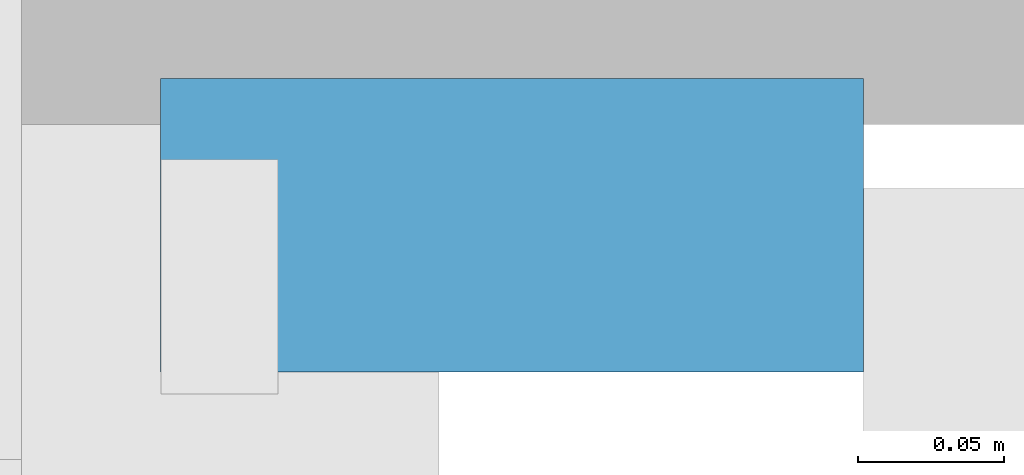
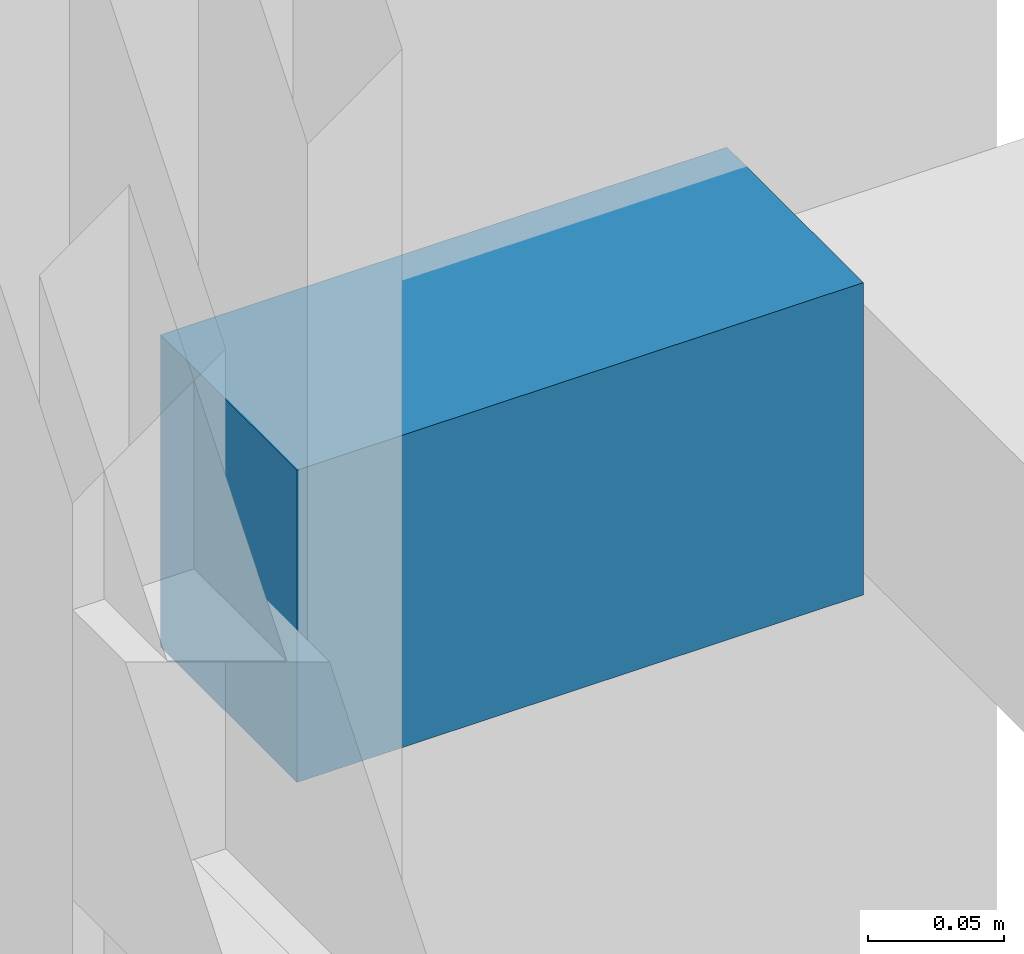
# One storey, part 22 of 36: 1 discrete accessory.
"""IFC4 building model written with IfcOpenShell, lengths in metres."""

from ifc_helpers import new_model, si_unit, direction, frame, origin, origin_2d, place, context, subcontext, project, spatial, rectangle, extrude, material, type_object, element, save


model = new_model("IFC4")

# Units and contexts
model_context = context("Model", 3, precision=1e-05, world=origin(), true_north=direction((0.0, 1.0)))
body_context = subcontext(model_context, "Body", "Model", "MODEL_VIEW")
ifc_project = project(units=[si_unit("LENGTHUNIT", "METRE"), si_unit("AREAUNIT", "SQUARE_METRE"), si_unit("VOLUMEUNIT", "CUBIC_METRE"), si_unit("PLANEANGLEUNIT", "RADIAN"), si_unit("MASSUNIT", "GRAM", prefix="KILO")], contexts=[model_context])

# Site, building, storey
site_placement = place(None, origin())
site = spatial("IfcSite", under=ifc_project, at=site_placement, CompositionType="ELEMENT")
building_placement = place(site_placement, origin())
building = spatial("IfcBuilding", under=site, at=building_placement, Name="Telukmera Botanical Conservatory", CompositionType="ELEMENT")
storey_placement = place(building_placement, frame((0.0, 0.0, 24.0)))
storey = spatial("IfcBuildingStorey", under=building, at=storey_placement, Name="L05", CompositionType="ELEMENT", Elevation=24.0)

# Discrete accessory
ifc_material = material(Name="Steel S355", Category="steel")
discrete_accessory_type = type_object("IfcDiscreteAccessoryType", Name="Structural Steel Facade Outrigger Fin Bracket", PredefinedType="BRACKET", material=ifc_material)
discrete_accessory_placement = place(storey_placement, frame((109.39990234375, 42.340576171875, 0.8798828125), z_axis=(0.0, 0.0, 1.0), x_axis=(0.0, 1.0, 0.0)))
element("IfcDiscreteAccessory", 1, at=discrete_accessory_placement, inside=storey, type_object=discrete_accessory_type, Name="Facade Outrigger Bracket V4:L05:E4 B", PredefinedType="BRACKET", context=body_context, shape_type="SweptSolid", body=[
    extrude(rectangle(XDim=0.10009765625, YDim=0.239990234375, at=origin_2d()), origin(), (0.0, 0.0, 1.0), 0.139892578125),
])

save(model, "model.ifc")
